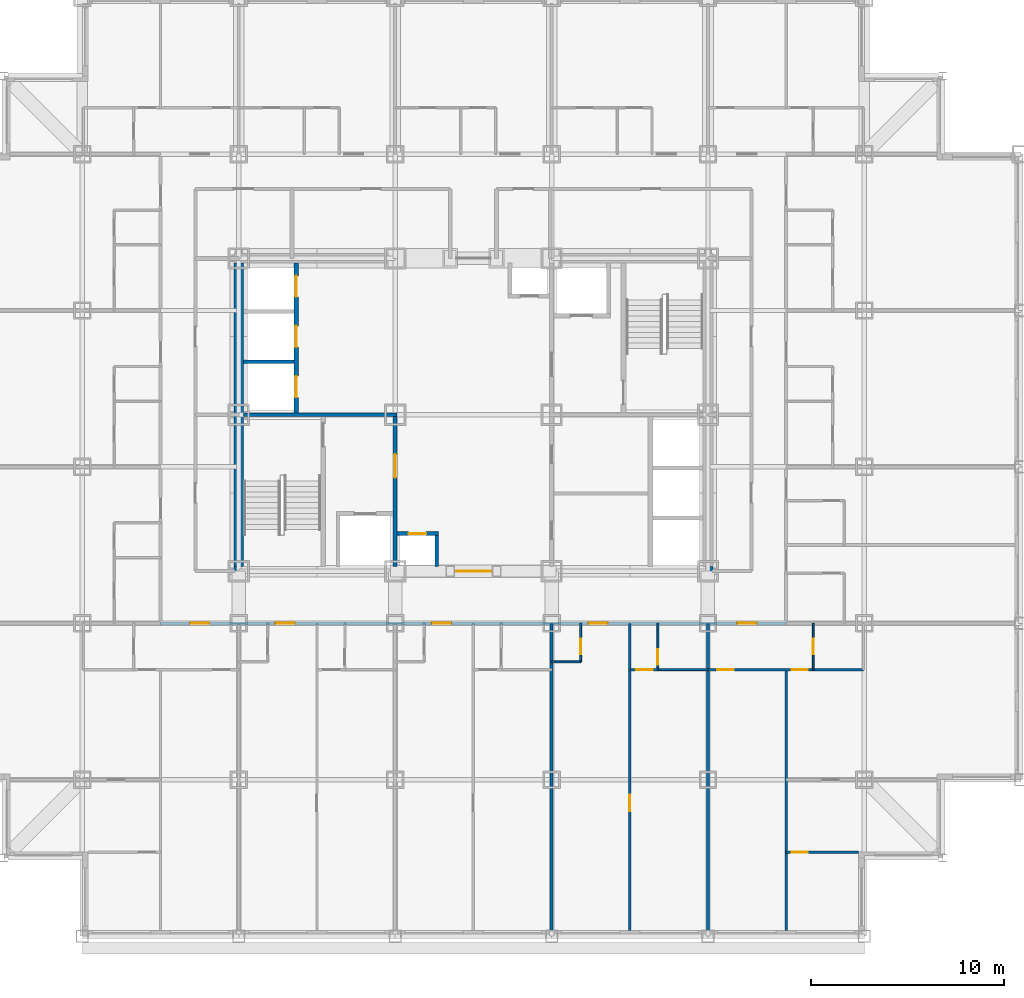
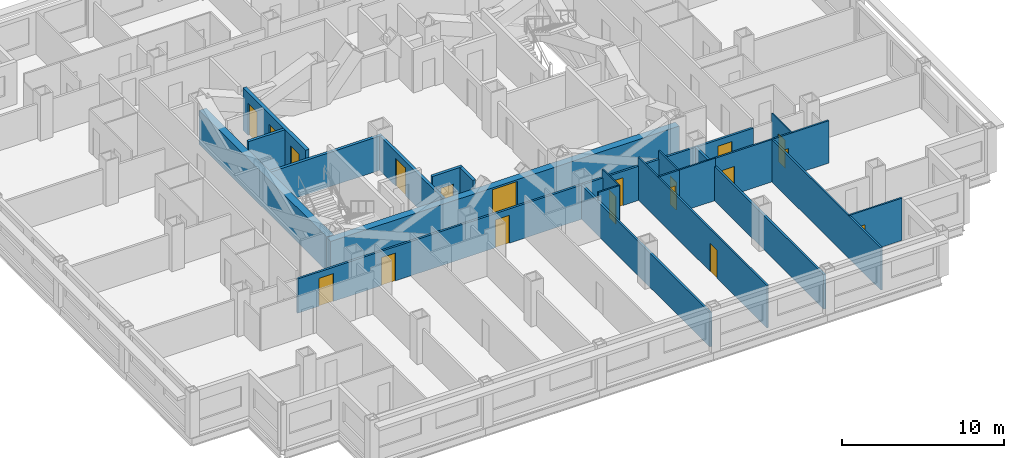
# One storey, part 6 of 12: 21 walls, 19 doors, 19 openings.
"""IFC4 building model written with IfcOpenShell, lengths in metres."""

from ifc_helpers import new_model, si_unit, direction, frame, frame_2d, origin, place, context, subcontext, project, spatial, rectangle, extrude, material, layer, layer_set, type_object, element, fill, save


model = new_model("IFC4")

# Units and contexts
model_context = context("Model", 3, precision=1e-05, world=origin(), true_north=direction((0.0, 1.0)))
body_context = subcontext(model_context, "Body", "Model", "MODEL_VIEW")
ifc_project = project(units=[si_unit("LENGTHUNIT", "METRE"), si_unit("AREAUNIT", "SQUARE_METRE"), si_unit("VOLUMEUNIT", "CUBIC_METRE"), si_unit("PLANEANGLEUNIT", "RADIAN"), si_unit("MASSUNIT", "GRAM", prefix="KILO")], contexts=[model_context])

# Site, building, storey
site_placement = place(None, origin())
site = spatial("IfcSite", under=ifc_project, at=site_placement, CompositionType="ELEMENT")
building_placement = place(site_placement, origin())
building = spatial("IfcBuilding", under=site, at=building_placement, Name="Kopane Lantern Tower", CompositionType="ELEMENT")
storey_placement = place(building_placement, frame((0.0, 0.0, 106.800048828125)))
storey = spatial("IfcBuildingStorey", under=building, at=storey_placement, Name="L26", CompositionType="ELEMENT", Elevation=106.800048828125)

# Wall, opening, door
ifc_material_1 = material(Name="Gypsum board on steel studs", Category="steel")
ifc_layer_1 = layer(ifc_material_1, 0.1201171875)
ifc_layer_set_1 = layer_set([ifc_layer_1], Name="APARTMENT INTERNAL WALL 120")
wall_type_1 = type_object("IfcWallType", Name="APARTMENT INTERNAL WALL 120", PredefinedType="PARTITIONING", material=ifc_layer_set_1)
wall_1_placement = place(storey_placement, frame((36.449951171875, 21.60009765625, 0.0), z_axis=(0.0, 0.0, 1.0), x_axis=(0.0, -1.0, 0.0)))
wall_1 = element("IfcWall", 1, at=wall_1_placement, inside=storey, type_object=wall_type_1, Name="Apartment Internal Wall 120 L26", PredefinedType="PARTITIONING", context=body_context, shape_type="SweptSolid", body=[
    extrude(rectangle(XDim=15.900146484375, YDim=0.1201171875, at=frame_2d((7.9501953125, 0.0))), origin(), (0.0, 0.0, 1.0), 3.18994140625),
])
opening_1_placement = place(wall_1_placement, frame((8.875, 0.0, 0.0)))
opening_1 = element("IfcOpeningElement", 2, at=opening_1_placement, cuts=wall_1, Name="Opening L26-020", PredefinedType="OPENING", context=body_context, shape_type="SweptSolid", body=[
    extrude(rectangle(XDim=0.85009765625, YDim=2.10009765625, at=frame_2d((0.425048828125, 1.050048828125))), frame((0.0, 0.070068359375, 0.0), z_axis=(0.0, -1.0, 0.0), x_axis=(1.0, 0.0, 0.0)), (0.0, 0.0, 1.0), 0.14013671875),
])
ifc_material_2 = material(Name="Timber door set", Category="wood")
door_type_1 = type_object("IfcDoorType", Name="DOOR D4 850x2100", OperationType="SINGLE_SWING_LEFT", PredefinedType="DOOR", material=ifc_material_2)
door_1_placement = place(opening_1_placement, origin())
door_1 = element("IfcDoor", 3, at=door_1_placement, inside=storey, type_object=door_type_1, Name="Door L26-020", OperationType="SINGLE_SWING_LEFT", OverallHeight=2.10009765625, OverallWidth=0.85009765625, PredefinedType="DOOR", context=body_context, shape_type="SweptSolid", body=[
    extrude(rectangle(XDim=0.85009765625, YDim=2.10009765625, at=frame_2d((0.425048828125, 1.050048828125))), frame((0.0, 0.02490234375, 0.0), z_axis=(0.0, -1.0, 0.0), x_axis=(1.0, 0.0, 0.0)), (0.0, 0.0, 1.0), 0.050048828125),
])
fill(opening_1, door_1)

# Wall, openings, doors
wall_2_placement = place(storey_placement, frame((40.5, 19.199951171875, 0.0), z_axis=(0.0, 0.0, 1.0), x_axis=(1.0, 0.0, 0.0)))
wall_2 = element("IfcWall", 4, at=wall_2_placement, inside=storey, type_object=wall_type_1, Name="Apartment Internal Wall 120 L26", PredefinedType="PARTITIONING", context=body_context, shape_type="SweptSolid", body=[
    extrude(rectangle(XDim=8.050048828125, YDim=0.1201171875, at=frame_2d((4.02490234375, 0.0))), origin(), (0.0, 0.0, 1.0), 3.18994140625),
])
opening_2_placement = place(wall_2_placement, frame((0.47509765625, 0.0, 0.0)))
opening_2 = element("IfcOpeningElement", 5, at=opening_2_placement, cuts=wall_2, Name="Opening L26-055", PredefinedType="OPENING", context=body_context, shape_type="SweptSolid", body=[
    extrude(rectangle(XDim=0.85009765625, YDim=2.10009765625, at=frame_2d((0.425048828125, 1.050048828125))), frame((0.0, 0.070068359375, 0.0), z_axis=(0.0, -1.0, 0.0), x_axis=(1.0, 0.0, 0.0)), (0.0, 0.0, 1.0), 0.14013671875),
])
opening_3_placement = place(wall_2_placement, frame((4.324951171875, 0.0, 0.0)))
opening_3 = element("IfcOpeningElement", 6, at=opening_3_placement, cuts=wall_2, Name="Opening L26-057", PredefinedType="OPENING", context=body_context, shape_type="SweptSolid", body=[
    extrude(rectangle(XDim=0.85009765625, YDim=2.10009765625, at=frame_2d((0.425048828125, 1.050048828125))), frame((0.0, 0.070068359375, 0.0), z_axis=(0.0, -1.0, 0.0), x_axis=(1.0, 0.0, 0.0)), (0.0, 0.0, 1.0), 0.14013671875),
])
door_2_placement = place(opening_2_placement, origin())
door_2 = element("IfcDoor", 7, at=door_2_placement, inside=storey, type_object=door_type_1, Name="Door L26-055", OperationType="SINGLE_SWING_LEFT", OverallHeight=2.10009765625, OverallWidth=0.85009765625, PredefinedType="DOOR", context=body_context, shape_type="SweptSolid", body=[
    extrude(rectangle(XDim=0.85009765625, YDim=2.10009765625, at=frame_2d((0.425048828125, 1.050048828125))), frame((0.0, 0.02490234375, 0.0), z_axis=(0.0, -1.0, 0.0), x_axis=(1.0, 0.0, 0.0)), (0.0, 0.0, 1.0), 0.050048828125),
])
fill(opening_2, door_2)
door_3_placement = place(opening_3_placement, origin())
door_3 = element("IfcDoor", 8, at=door_3_placement, inside=storey, type_object=door_type_1, Name="Door L26-057", OperationType="SINGLE_SWING_RIGHT", OverallHeight=2.10009765625, OverallWidth=0.85009765625, PredefinedType="DOOR", context=body_context, shape_type="SweptSolid", body=[
    extrude(rectangle(XDim=0.85009765625, YDim=2.10009765625, at=frame_2d((0.425048828125, 1.050048828125))), frame((0.0, 0.02490234375, 0.0), z_axis=(0.0, -1.0, 0.0), x_axis=(1.0, 0.0, 0.0)), (0.0, 0.0, 1.0), 0.050048828125),
])
fill(opening_3, door_3)

# Wall
wall_3_placement = place(storey_placement, frame((44.550048828125, 19.199951171875, 0.0), z_axis=(0.0, 0.0, 1.0), x_axis=(0.0, -1.0, 0.0)))
element("IfcWall", 9, at=wall_3_placement, inside=storey, type_object=wall_type_1, Name="Apartment Internal Wall 120 L26", PredefinedType="PARTITIONING", context=body_context, shape_type="SweptSolid", body=[
    extrude(rectangle(XDim=13.5, YDim=0.1201171875, at=frame_2d((6.75, 0.0))), origin(), (0.0, 0.0, 1.0), 3.18994140625),
])

# Wall, opening, door
wall_4_placement = place(storey_placement, frame((37.909912109375, 19.199951171875, 0.0), z_axis=(0.0, 0.0, 1.0), x_axis=(-1.0, 0.0, 0.0)))
wall_4 = element("IfcWall", 10, at=wall_4_placement, inside=storey, type_object=wall_type_1, Name="Apartment Internal Wall 120 L26", PredefinedType="PARTITIONING", context=body_context, shape_type="SweptSolid", body=[
    extrude(rectangle(XDim=1.4599609375, YDim=0.1201171875, at=frame_2d((0.72998046875, 0.0))), origin(), (0.0, 0.0, 1.0), 3.18994140625),
])
opening_4_placement = place(wall_4_placement, frame((0.27490234375, 0.0, 0.0)))
opening_4 = element("IfcOpeningElement", 11, at=opening_4_placement, cuts=wall_4, Name="Opening L26-069", PredefinedType="OPENING", context=body_context, shape_type="SweptSolid", body=[
    extrude(rectangle(XDim=0.85009765625, YDim=2.10009765625, at=frame_2d((0.425048828125, 1.050048828125))), frame((0.0, 0.070068359375, 0.0), z_axis=(0.0, -1.0, 0.0), x_axis=(1.0, 0.0, 0.0)), (0.0, 0.0, 1.0), 0.14013671875),
])
door_4_placement = place(opening_4_placement, origin())
door_4 = element("IfcDoor", 12, at=door_4_placement, inside=storey, type_object=door_type_1, Name="Door L26-069", OperationType="SINGLE_SWING_RIGHT", OverallHeight=2.10009765625, OverallWidth=0.85009765625, PredefinedType="DOOR", context=body_context, shape_type="SweptSolid", body=[
    extrude(rectangle(XDim=0.85009765625, YDim=2.10009765625, at=frame_2d((0.425048828125, 1.050048828125))), frame((0.0, 0.02490234375, 0.0), z_axis=(0.0, -1.0, 0.0), x_axis=(1.0, 0.0, 0.0)), (0.0, 0.0, 1.0), 0.050048828125),
])
fill(opening_4, door_4)

wall_5_placement = place(storey_placement, frame((44.550048828125, 9.75, 0.0), z_axis=(0.0, 0.0, 1.0), x_axis=(1.0, 0.0, 0.0)))
wall_5 = element("IfcWall", 13, at=wall_5_placement, inside=storey, type_object=wall_type_1, Name="Apartment Internal Wall 120 L26", PredefinedType="PARTITIONING", context=body_context, shape_type="SweptSolid", body=[
    extrude(rectangle(XDim=3.75, YDim=0.1201171875, at=frame_2d((1.875, 0.0))), origin(), (0.0, 0.0, 1.0), 3.18994140625),
])
opening_5_placement = place(wall_5_placement, frame((0.27490234375, 0.0, 0.0)))
opening_5 = element("IfcOpeningElement", 14, at=opening_5_placement, cuts=wall_5, Name="Opening L26-071", PredefinedType="OPENING", context=body_context, shape_type="SweptSolid", body=[
    extrude(rectangle(XDim=0.85009765625, YDim=2.10009765625, at=frame_2d((0.425048828125, 1.050048828125))), frame((0.0, 0.070068359375, 0.0), z_axis=(0.0, -1.0, 0.0), x_axis=(1.0, 0.0, 0.0)), (0.0, 0.0, 1.0), 0.14013671875),
])
door_5_placement = place(opening_5_placement, origin())
door_5 = element("IfcDoor", 15, at=door_5_placement, inside=storey, type_object=door_type_1, Name="Door L26-071", OperationType="SINGLE_SWING_RIGHT", OverallHeight=2.10009765625, OverallWidth=0.85009765625, PredefinedType="DOOR", context=body_context, shape_type="SweptSolid", body=[
    extrude(rectangle(XDim=0.85009765625, YDim=2.10009765625, at=frame_2d((0.425048828125, 1.050048828125))), frame((0.0, 0.02490234375, 0.0), z_axis=(0.0, -1.0, 0.0), x_axis=(1.0, 0.0, 0.0)), (0.0, 0.0, 1.0), 0.050048828125),
])
fill(opening_5, door_5)

# Wall
ifc_material_3 = material(Name="Moisture-resistant board on steel studs", Category="steel")
ifc_layer_2 = layer(ifc_material_3, 0.10009765625)
ifc_layer_set_2 = layer_set([ifc_layer_2], Name="BATHROOM WALL 100")
wall_type_2 = type_object("IfcWallType", Name="BATHROOM WALL 100", PredefinedType="PARTITIONING", material=ifc_layer_set_2)
wall_6_placement = place(storey_placement, frame((32.39990234375, 19.60009765625, 0.0), z_axis=(0.0, 0.0, 1.0), x_axis=(1.0, 0.0, 0.0)))
element("IfcWall", 16, at=wall_6_placement, inside=storey, type_object=wall_type_2, Name="Bathroom Wall 100 L26", PredefinedType="PARTITIONING", context=body_context, shape_type="SweptSolid", body=[
    extrude(rectangle(XDim=1.5, YDim=0.10009765625, at=frame_2d((0.75, 0.0))), origin(), (0.0, 0.0, 1.0), 3.18994140625),
])

# Wall, opening, door
wall_7_placement = place(storey_placement, frame((33.89990234375, 21.60009765625, 0.0), z_axis=(0.0, 0.0, 1.0), x_axis=(0.0, -1.0, 0.0)))
wall_7 = element("IfcWall", 17, at=wall_7_placement, inside=storey, type_object=wall_type_2, Name="Bathroom Wall 100 L26", PredefinedType="PARTITIONING", context=body_context, shape_type="SweptSolid", body=[
    extrude(rectangle(XDim=2.0, YDim=0.10009765625, at=frame_2d((1.0, 0.0))), origin(), (0.0, 0.0, 1.0), 3.18994140625),
])
opening_6_placement = place(wall_7_placement, frame((0.800048828125, 0.0, 0.0)))
opening_6 = element("IfcOpeningElement", 18, at=opening_6_placement, cuts=wall_7, Name="Opening L26-017", PredefinedType="OPENING", context=body_context, shape_type="SweptSolid", body=[
    extrude(rectangle(XDim=0.800048828125, YDim=2.10009765625, at=frame_2d((0.39990234375, 1.050048828125))), frame((0.0, 0.06005859375, 0.0), z_axis=(0.0, -1.0, 0.0), x_axis=(1.0, 0.0, 0.0)), (0.0, 0.0, 1.0), 0.1201171875),
])
ifc_material_4 = material(Name="Timber door set", Category="wood")
door_type_2 = type_object("IfcDoorType", Name="DOOR D2 800x2100", OperationType="SINGLE_SWING_LEFT", PredefinedType="DOOR", material=ifc_material_4)
door_6_placement = place(opening_6_placement, origin())
door_6 = element("IfcDoor", 19, at=door_6_placement, inside=storey, type_object=door_type_2, Name="Door L26-017", OperationType="SINGLE_SWING_LEFT", OverallHeight=2.10009765625, OverallWidth=0.800048828125, PredefinedType="DOOR", context=body_context, shape_type="SweptSolid", body=[
    extrude(rectangle(XDim=0.800048828125, YDim=2.10009765625, at=frame_2d((0.39990234375, 1.050048828125))), frame((0.0, 0.02490234375, 0.0), z_axis=(0.0, -1.0, 0.0), x_axis=(1.0, 0.0, 0.0)), (0.0, 0.0, 1.0), 0.050048828125),
])
fill(opening_6, door_6)

# Wall
wall_8_placement = place(storey_placement, frame((37.89990234375, 19.199951171875, 0.0), z_axis=(0.0, 0.0, 1.0), x_axis=(1.0, 0.0, 0.0)))
element("IfcWall", 20, at=wall_8_placement, inside=storey, type_object=wall_type_2, Name="Bathroom Wall 100 L26", PredefinedType="PARTITIONING", context=body_context, shape_type="SweptSolid", body=[
    extrude(rectangle(XDim=2.60009765625, YDim=0.10009765625, at=frame_2d((1.300048828125, 0.0))), origin(), (0.0, 0.0, 1.0), 3.18994140625),
])

# Wall, opening, door
wall_9_placement = place(storey_placement, frame((37.89990234375, 21.60009765625, 0.0), z_axis=(0.0, 0.0, 1.0), x_axis=(0.0, -1.0, 0.0)))
wall_9 = element("IfcWall", 21, at=wall_9_placement, inside=storey, type_object=wall_type_2, Name="Bathroom Wall 100 L26", PredefinedType="PARTITIONING", context=body_context, shape_type="SweptSolid", body=[
    extrude(rectangle(XDim=2.400146484375, YDim=0.10009765625, at=frame_2d((1.2001953125, 0.0))), origin(), (0.0, 0.0, 1.0), 3.18994140625),
])
opening_7_placement = place(wall_9_placement, frame((1.35009765625, 0.0, 0.0)))
opening_7 = element("IfcOpeningElement", 22, at=opening_7_placement, cuts=wall_9, Name="Opening L26-019", PredefinedType="OPENING", context=body_context, shape_type="SweptSolid", body=[
    extrude(rectangle(XDim=0.800048828125, YDim=2.10009765625, at=frame_2d((0.39990234375, 1.050048828125))), frame((0.0, 0.06005859375, 0.0), z_axis=(0.0, -1.0, 0.0), x_axis=(1.0, 0.0, 0.0)), (0.0, 0.0, 1.0), 0.1201171875),
])
door_7_placement = place(opening_7_placement, origin())
door_7 = element("IfcDoor", 23, at=door_7_placement, inside=storey, type_object=door_type_2, Name="Door L26-019", OperationType="SINGLE_SWING_LEFT", OverallHeight=2.10009765625, OverallWidth=0.800048828125, PredefinedType="DOOR", context=body_context, shape_type="SweptSolid", body=[
    extrude(rectangle(XDim=0.800048828125, YDim=2.10009765625, at=frame_2d((0.39990234375, 1.050048828125))), frame((0.0, 0.02490234375, 0.0), z_axis=(0.0, -1.0, 0.0), x_axis=(1.0, 0.0, 0.0)), (0.0, 0.0, 1.0), 0.050048828125),
])
fill(opening_7, door_7)

wall_10_placement = place(storey_placement, frame((45.949951171875, 21.60009765625, 0.0), z_axis=(0.0, 0.0, 1.0), x_axis=(0.0, -1.0, 0.0)))
wall_10 = element("IfcWall", 24, at=wall_10_placement, inside=storey, type_object=wall_type_2, Name="Bathroom Wall 100 L26", PredefinedType="PARTITIONING", context=body_context, shape_type="SweptSolid", body=[
    extrude(rectangle(XDim=2.400146484375, YDim=0.10009765625, at=frame_2d((1.2001953125, 0.0))), origin(), (0.0, 0.0, 1.0), 3.18994140625),
])
opening_8_placement = place(wall_10_placement, frame((0.800048828125, 0.0, 0.0)))
opening_8 = element("IfcOpeningElement", 25, at=opening_8_placement, cuts=wall_10, Name="Opening L26-056", PredefinedType="OPENING", context=body_context, shape_type="SweptSolid", body=[
    extrude(rectangle(XDim=0.800048828125, YDim=2.10009765625, at=frame_2d((0.39990234375, 1.050048828125))), frame((0.0, 0.06005859375, 0.0), z_axis=(0.0, -1.0, 0.0), x_axis=(1.0, 0.0, 0.0)), (0.0, 0.0, 1.0), 0.1201171875),
])
door_8_placement = place(opening_8_placement, origin())
door_8 = element("IfcDoor", 26, at=door_8_placement, inside=storey, type_object=door_type_2, Name="Door L26-056", OperationType="SINGLE_SWING_LEFT", OverallHeight=2.10009765625, OverallWidth=0.800048828125, PredefinedType="DOOR", context=body_context, shape_type="SweptSolid", body=[
    extrude(rectangle(XDim=0.800048828125, YDim=2.10009765625, at=frame_2d((0.39990234375, 1.050048828125))), frame((0.0, 0.02490234375, 0.0), z_axis=(0.0, -1.0, 0.0), x_axis=(1.0, 0.0, 0.0)), (0.0, 0.0, 1.0), 0.050048828125),
])
fill(opening_8, door_8)

ifc_material_5 = material(Name="Gypsum shaft wall EI 120", Category="gypsum")
ifc_layer_3 = layer(ifc_material_5, 0.5)
ifc_layer_set_3 = layer_set([ifc_layer_3], Name="CORE PERIMETER WALL 500 EI 120")
wall_type_3 = type_object("IfcWallType", Name="CORE PERIMETER WALL 500 EI 120", PredefinedType="SOLIDWALL", material=ifc_layer_set_3)
wall_11_placement = place(storey_placement, frame((15.949951171875, 24.300048828125, 0.0), z_axis=(0.0, 0.0, 1.0), x_axis=(1.0, 0.0, 0.0)))
wall_11 = element("IfcWall", 27, at=wall_11_placement, inside=storey, type_object=wall_type_3, Name="Core shaft wall L26 PS", PredefinedType="SOLIDWALL", context=body_context, shape_type="SweptSolid", body=[
    extrude(rectangle(XDim=24.800048828125, YDim=0.5, at=frame_2d((12.39990234375, 0.0))), origin(), (0.0, 0.0, 1.0), 2.5400390625),
])
opening_9_placement = place(wall_11_placement, frame((11.5, 0.0, 0.0)))
opening_9 = element("IfcOpeningElement", 28, at=opening_9_placement, cuts=wall_11, Name="Opening 26.CE-S", PredefinedType="OPENING", context=body_context, shape_type="SweptSolid", body=[
    extrude(rectangle(XDim=1.800048828125, YDim=2.39990234375, at=frame_2d((0.89990234375, 1.199951171875))), frame((0.0, 0.260009765625, 0.0), z_axis=(0.0, -1.0, 0.0), x_axis=(1.0, 0.0, 0.0)), (0.0, 0.0, 1.0), 0.52001953125),
])
ifc_material_6 = material(Name="Steel door set", Category="steel")
door_type_3 = type_object("IfcDoorType", Name="CORE ENTRY DOOR 1800x2400 FD60S", OperationType="DOUBLE_DOOR_SINGLE_SWING", PredefinedType="DOOR", material=ifc_material_6)
door_9_placement = place(opening_9_placement, origin())
door_9 = element("IfcDoor", 29, at=door_9_placement, inside=storey, type_object=door_type_3, Name="Core entry door L26 south", OperationType="DOUBLE_DOOR_SINGLE_SWING", OverallHeight=2.39990234375, OverallWidth=1.800048828125, PredefinedType="DOOR", context=body_context, shape_type="SweptSolid", body=[
    extrude(rectangle(XDim=1.800048828125, YDim=2.39990234375, at=frame_2d((0.89990234375, 1.199951171875))), frame((0.0, 0.02490234375, 0.0), z_axis=(0.0, -1.0, 0.0), x_axis=(1.0, 0.0, 0.0)), (0.0, 0.0, 1.0), 0.050048828125),
])
fill(opening_9, door_9)

# Wall
wall_12_placement = place(storey_placement, frame((16.199951171875, 24.550048828125, 0.0), z_axis=(0.0, 0.0, 1.0), x_axis=(0.0, 1.0, 0.0)))
element("IfcWall", 30, at=wall_12_placement, inside=storey, type_object=wall_type_3, Name="Core shaft wall L26 PW", PredefinedType="SOLIDWALL", context=body_context, shape_type="SweptSolid", body=[
    extrude(rectangle(XDim=15.699951171875, YDim=0.5, at=frame_2d((7.85009765625, 0.0))), origin(), (0.0, 0.0, 1.0), 2.57763671875),
])

# Wall, openings, doors
ifc_material_7 = material(Name="Gypsum shaft wall EI 120", Category="gypsum")
ifc_layer_4 = layer(ifc_material_7, 0.25)
ifc_layer_set_4 = layer_set([ifc_layer_4], Name="CORE SHAFT WALL 250 EI 120")
wall_type_4 = type_object("IfcWallType", Name="CORE SHAFT WALL 250 EI 120", PredefinedType="SOLIDWALL", material=ifc_layer_set_4)
wall_13_placement = place(storey_placement, frame((19.175048828125, 32.5, 0.0), z_axis=(0.0, 0.0, 1.0), x_axis=(0.0, 1.0, 0.0)))
wall_13 = element("IfcWall", 31, at=wall_13_placement, inside=storey, type_object=wall_type_4, Name="Core shaft wall L26 XLH", PredefinedType="SOLIDWALL", context=body_context, shape_type="SweptSolid", body=[
    extrude(rectangle(XDim=7.75, YDim=0.25, at=frame_2d((3.875, 0.0))), origin(), (0.0, 0.0, 1.0), 3.18994140625),
])
opening_10_placement = place(wall_13_placement, frame((0.800048828125, 0.0, 0.0)))
opening_10 = element("IfcOpeningElement", 32, at=opening_10_placement, cuts=wall_13, Name="Opening 26.LD-LH1", PredefinedType="OPENING", context=body_context, shape_type="SweptSolid", body=[
    extrude(rectangle(XDim=1.10009765625, YDim=2.39990234375, at=frame_2d((0.550048828125, 1.199951171875))), frame((0.0, 0.135009765625, 0.0), z_axis=(0.0, -1.0, 0.0), x_axis=(1.0, 0.0, 0.0)), (0.0, 0.0, 1.0), 0.27001953125),
])
opening_11_placement = place(wall_13_placement, frame((3.39990234375, 0.0, 0.0)))
opening_11 = element("IfcOpeningElement", 33, at=opening_11_placement, cuts=wall_13, Name="Opening 26.LD-LH2", PredefinedType="OPENING", context=body_context, shape_type="SweptSolid", body=[
    extrude(rectangle(XDim=1.10009765625, YDim=2.39990234375, at=frame_2d((0.550048828125, 1.199951171875))), frame((0.0, 0.135009765625, 0.0), z_axis=(0.0, -1.0, 0.0), x_axis=(1.0, 0.0, 0.0)), (0.0, 0.0, 1.0), 0.27001953125),
])
opening_12_placement = place(wall_13_placement, frame((6.0, 0.0, 0.0)))
opening_12 = element("IfcOpeningElement", 34, at=opening_12_placement, cuts=wall_13, Name="Opening 26.LD-LH3", PredefinedType="OPENING", context=body_context, shape_type="SweptSolid", body=[
    extrude(rectangle(XDim=1.10009765625, YDim=2.39990234375, at=frame_2d((0.550048828125, 1.199951171875))), frame((0.0, 0.135009765625, 0.0), z_axis=(0.0, -1.0, 0.0), x_axis=(1.0, 0.0, 0.0)), (0.0, 0.0, 1.0), 0.27001953125),
])
ifc_material_8 = material(Name="Steel door set", Category="steel")
door_type_4 = type_object("IfcDoorType", Name="LIFT LANDING DOOR 1100x2400 FD60", OperationType="DOUBLE_DOOR_SLIDING", PredefinedType="DOOR", material=ifc_material_8)
door_10_placement = place(opening_10_placement, origin())
door_10 = element("IfcDoor", 35, at=door_10_placement, inside=storey, type_object=door_type_4, Name="Landing door LH1 L26", OperationType="DOUBLE_DOOR_SLIDING", OverallHeight=2.39990234375, OverallWidth=1.10009765625, PredefinedType="DOOR", context=body_context, shape_type="SweptSolid", body=[
    extrude(rectangle(XDim=1.10009765625, YDim=2.39990234375, at=frame_2d((0.550048828125, 1.199951171875))), frame((0.0, 0.02490234375, 0.0), z_axis=(0.0, -1.0, 0.0), x_axis=(1.0, 0.0, 0.0)), (0.0, 0.0, 1.0), 0.050048828125),
])
fill(opening_10, door_10)
door_11_placement = place(opening_11_placement, origin())
door_11 = element("IfcDoor", 36, at=door_11_placement, inside=storey, type_object=door_type_4, Name="Landing door LH2 L26", OperationType="DOUBLE_DOOR_SLIDING", OverallHeight=2.39990234375, OverallWidth=1.10009765625, PredefinedType="DOOR", context=body_context, shape_type="SweptSolid", body=[
    extrude(rectangle(XDim=1.10009765625, YDim=2.39990234375, at=frame_2d((0.550048828125, 1.199951171875))), frame((0.0, 0.02490234375, 0.0), z_axis=(0.0, -1.0, 0.0), x_axis=(1.0, 0.0, 0.0)), (0.0, 0.0, 1.0), 0.050048828125),
])
fill(opening_11, door_11)
door_12_placement = place(opening_12_placement, origin())
door_12 = element("IfcDoor", 37, at=door_12_placement, inside=storey, type_object=door_type_4, Name="Landing door LH3 L26", OperationType="DOUBLE_DOOR_SLIDING", OverallHeight=2.39990234375, OverallWidth=1.10009765625, PredefinedType="DOOR", context=body_context, shape_type="SweptSolid", body=[
    extrude(rectangle(XDim=1.10009765625, YDim=2.39990234375, at=frame_2d((0.550048828125, 1.199951171875))), frame((0.0, 0.02490234375, 0.0), z_axis=(0.0, -1.0, 0.0), x_axis=(1.0, 0.0, 0.0)), (0.0, 0.0, 1.0), 0.050048828125),
])
fill(opening_12, door_12)

ifc_material_9 = material(Name="Gypsum board on steel studs", Category="steel")
ifc_layer_5 = layer(ifc_material_9, 0.14990234375)
ifc_layer_set_5 = layer_set([ifc_layer_5], Name="CORRIDOR WALL 150 EI 60")
wall_type_5 = type_object("IfcWallType", Name="CORRIDOR WALL 150 EI 60", PredefinedType="PARTITIONING", material=ifc_layer_set_5)
wall_14_placement = place(storey_placement, frame((12.14990234375, 21.60009765625, 0.0), z_axis=(0.0, 0.0, 1.0), x_axis=(1.0, 0.0, 0.0)))
wall_14 = element("IfcWall", 38, at=wall_14_placement, inside=storey, type_object=wall_type_5, Name="Corridor Wall 150 Ei 60 L26", PredefinedType="PARTITIONING", context=body_context, shape_type="SweptSolid", body=[
    extrude(rectangle(XDim=32.400146484375, YDim=0.14990234375, at=frame_2d((16.2001953125, 0.0))), origin(), (0.0, 0.0, 1.0), 2.57763671875),
])
opening_13_placement = place(wall_14_placement, frame((5.949951171875, 0.0, 0.0)))
opening_13 = element("IfcOpeningElement", 39, at=opening_13_placement, cuts=wall_14, Name="Opening L26-010", PredefinedType="OPENING", context=body_context, shape_type="SweptSolid", body=[
    extrude(rectangle(XDim=1.0, YDim=2.10009765625, at=frame_2d((0.5, 1.050048828125))), frame((0.0, 0.0849609375, 0.0), z_axis=(0.0, -1.0, 0.0), x_axis=(1.0, 0.0, 0.0)), (0.0, 0.0, 1.0), 0.169921875),
])
opening_14_placement = place(wall_14_placement, frame((14.050048828125, 0.0, 0.0)))
opening_14 = element("IfcOpeningElement", 40, at=opening_14_placement, cuts=wall_14, Name="Opening L26-014", PredefinedType="OPENING", context=body_context, shape_type="SweptSolid", body=[
    extrude(rectangle(XDim=1.0, YDim=2.10009765625, at=frame_2d((0.5, 1.050048828125))), frame((0.0, 0.0849609375, 0.0), z_axis=(0.0, -1.0, 0.0), x_axis=(1.0, 0.0, 0.0)), (0.0, 0.0, 1.0), 0.169921875),
])
opening_15_placement = place(wall_14_placement, frame((22.14990234375, 0.0, 0.0)))
opening_15 = element("IfcOpeningElement", 41, at=opening_15_placement, cuts=wall_14, Name="Opening L26-018", PredefinedType="OPENING", context=body_context, shape_type="SweptSolid", body=[
    extrude(rectangle(XDim=1.0, YDim=2.10009765625, at=frame_2d((0.5, 1.050048828125))), frame((0.0, 0.0849609375, 0.0), z_axis=(0.0, -1.0, 0.0), x_axis=(1.0, 0.0, 0.0)), (0.0, 0.0, 1.0), 0.169921875),
])
opening_16_placement = place(wall_14_placement, frame((1.52490234375, 0.0, 0.0)))
opening_16 = element("IfcOpeningElement", 42, at=opening_16_placement, cuts=wall_14, Name="Opening L26-049", PredefinedType="OPENING", context=body_context, shape_type="SweptSolid", body=[
    extrude(rectangle(XDim=1.0, YDim=2.10009765625, at=frame_2d((0.5, 1.050048828125))), frame((0.0, 0.0849609375, 0.0), z_axis=(0.0, -1.0, 0.0), x_axis=(1.0, 0.0, 0.0)), (0.0, 0.0, 1.0), 0.169921875),
])
opening_17_placement = place(wall_14_placement, frame((29.875, 0.0, 0.0)))
opening_17 = element("IfcOpeningElement", 43, at=opening_17_placement, cuts=wall_14, Name="Opening L26-054", PredefinedType="OPENING", context=body_context, shape_type="SweptSolid", body=[
    extrude(rectangle(XDim=1.0, YDim=2.10009765625, at=frame_2d((0.5, 1.050048828125))), frame((0.0, 0.0849609375, 0.0), z_axis=(0.0, -1.0, 0.0), x_axis=(1.0, 0.0, 0.0)), (0.0, 0.0, 1.0), 0.169921875),
])
ifc_material_10 = material(Name="Steel door set", Category="steel")
door_type_5 = type_object("IfcDoorType", Name="DOOR D1 1000x2100 FD30S", OperationType="SINGLE_SWING_LEFT", PredefinedType="DOOR", material=ifc_material_10)
door_13_placement = place(opening_13_placement, origin())
door_13 = element("IfcDoor", 44, at=door_13_placement, inside=storey, type_object=door_type_5, Name="Door L26-010", OperationType="SINGLE_SWING_RIGHT", OverallHeight=2.10009765625, OverallWidth=1.0, PredefinedType="DOOR", context=body_context, shape_type="SweptSolid", body=[
    extrude(rectangle(XDim=1.0, YDim=2.10009765625, at=frame_2d((0.5, 1.050048828125))), frame((0.0, 0.02490234375, 0.0), z_axis=(0.0, -1.0, 0.0), x_axis=(1.0, 0.0, 0.0)), (0.0, 0.0, 1.0), 0.050048828125),
])
fill(opening_13, door_13)
door_14_placement = place(opening_14_placement, origin())
door_14 = element("IfcDoor", 45, at=door_14_placement, inside=storey, type_object=door_type_5, Name="Door L26-014", OperationType="SINGLE_SWING_RIGHT", OverallHeight=2.10009765625, OverallWidth=1.0, PredefinedType="DOOR", context=body_context, shape_type="SweptSolid", body=[
    extrude(rectangle(XDim=1.0, YDim=2.10009765625, at=frame_2d((0.5, 1.050048828125))), frame((0.0, 0.02490234375, 0.0), z_axis=(0.0, -1.0, 0.0), x_axis=(1.0, 0.0, 0.0)), (0.0, 0.0, 1.0), 0.050048828125),
])
fill(opening_14, door_14)
door_15_placement = place(opening_15_placement, origin())
door_15 = element("IfcDoor", 46, at=door_15_placement, inside=storey, type_object=door_type_5, Name="Door L26-018", OperationType="SINGLE_SWING_RIGHT", OverallHeight=2.10009765625, OverallWidth=1.0, PredefinedType="DOOR", context=body_context, shape_type="SweptSolid", body=[
    extrude(rectangle(XDim=1.0, YDim=2.10009765625, at=frame_2d((0.5, 1.050048828125))), frame((0.0, 0.02490234375, 0.0), z_axis=(0.0, -1.0, 0.0), x_axis=(1.0, 0.0, 0.0)), (0.0, 0.0, 1.0), 0.050048828125),
])
fill(opening_15, door_15)
door_16_placement = place(opening_16_placement, origin())
door_16 = element("IfcDoor", 47, at=door_16_placement, inside=storey, type_object=door_type_5, Name="Door L26-049", OperationType="SINGLE_SWING_LEFT", OverallHeight=2.10009765625, OverallWidth=1.0, PredefinedType="DOOR", context=body_context, shape_type="SweptSolid", body=[
    extrude(rectangle(XDim=1.0, YDim=2.10009765625, at=frame_2d((0.5, 1.050048828125))), frame((0.0, 0.02490234375, 0.0), z_axis=(0.0, -1.0, 0.0), x_axis=(1.0, 0.0, 0.0)), (0.0, 0.0, 1.0), 0.050048828125),
])
fill(opening_16, door_16)
door_17_placement = place(opening_17_placement, origin())
door_17 = element("IfcDoor", 48, at=door_17_placement, inside=storey, type_object=door_type_5, Name="Door L26-054", OperationType="SINGLE_SWING_RIGHT", OverallHeight=2.10009765625, OverallWidth=1.0, PredefinedType="DOOR", context=body_context, shape_type="SweptSolid", body=[
    extrude(rectangle(XDim=1.0, YDim=2.10009765625, at=frame_2d((0.5, 1.050048828125))), frame((0.0, 0.02490234375, 0.0), z_axis=(0.0, -1.0, 0.0), x_axis=(1.0, 0.0, 0.0)), (0.0, 0.0, 1.0), 0.050048828125),
])
fill(opening_17, door_17)

# Walls
ifc_material_11 = material(Name="Gypsum board on steel studs", Category="steel")
ifc_layer_6 = layer(ifc_material_11, 0.14990234375)
ifc_layer_set_6 = layer_set([ifc_layer_6], Name="DEMISING WALL 150 EI 60")
wall_type_6 = type_object("IfcWallType", Name="DEMISING WALL 150 EI 60", PredefinedType="PARTITIONING", material=ifc_layer_set_6)
for number, where, z_axis, x_axis, name in (
    (49, (32.39990234375, 21.60009765625, 0.0), (0.0, 0.0, 1.0), (0.0, -1.0, 0.0), "Demising Wall 150 Ei 60 L26"),
    (50, (40.5, 21.60009765625, 0.0), (0.0, 0.0, 1.0), (0.0, -1.0, 0.0), "Demising Wall 150 Ei 60 L26"),
):
    element("IfcWall", number, at=place(storey_placement, frame(where, z_axis=z_axis, x_axis=x_axis)), inside=storey, type_object=wall_type_6, Name=name, PredefinedType="PARTITIONING", context=body_context, shape_type="SweptSolid", body=[
        extrude(rectangle(XDim=15.900146484375, YDim=0.14990234375, at=frame_2d((7.9501953125, 0.0))), origin(), (0.0, 0.0, 1.0), 2.57763671875),
    ])
ifc_material_12 = material(Name="Gypsum shaft wall EI 120", Category="gypsum")
ifc_layer_7 = layer(ifc_material_12, 0.199951171875)
ifc_layer_set_7 = layer_set([ifc_layer_7], Name="SHAFT WALL 200 EI 120")
wall_type_7 = type_object("IfcWallType", Name="SHAFT WALL 200 EI 120", PredefinedType="SOLIDWALL", material=ifc_layer_set_7)
wall_15_placement = place(storey_placement, frame((16.449951171875, 32.39990234375, 0.0), z_axis=(0.0, 0.0, 1.0), x_axis=(1.0, 0.0, 0.0)))
element("IfcWall", 51, at=wall_15_placement, inside=storey, type_object=wall_type_7, Name="Core shaft wall L26 Y324W", PredefinedType="SOLIDWALL", context=body_context, shape_type="SweptSolid", body=[
    extrude(rectangle(XDim=7.949951171875, YDim=0.199951171875, at=frame_2d((3.97509765625, 0.0))), origin(), (0.0, 0.0, 1.0), 2.57763671875),
])

# Wall, opening, door
wall_16_placement = place(storey_placement, frame((24.300048828125, 24.550048828125, 0.0), z_axis=(0.0, 0.0, 1.0), x_axis=(0.0, 1.0, 0.0)))
wall_16 = element("IfcWall", 52, at=wall_16_placement, inside=storey, type_object=wall_type_7, Name="Core shaft wall L26 X243", PredefinedType="SOLIDWALL", context=body_context, shape_type="SweptSolid", body=[
    extrude(rectangle(XDim=7.75, YDim=0.199951171875, at=frame_2d((3.875, 0.0))), origin(), (0.0, 0.0, 1.0), 2.57763671875),
])
opening_18_placement = place(wall_16_placement, frame((4.60009765625, 0.0, 0.0)))
opening_18 = element("IfcOpeningElement", 53, at=opening_18_placement, cuts=wall_16, Name="Opening 26.FL1", PredefinedType="OPENING", context=body_context, shape_type="SweptSolid", body=[
    extrude(rectangle(XDim=1.199951171875, YDim=2.10009765625, at=frame_2d((0.60009765625, 1.050048828125))), frame((0.0, 0.10986328125, 0.0), z_axis=(0.0, -1.0, 0.0), x_axis=(1.0, 0.0, 0.0)), (0.0, 0.0, 1.0), 0.219970703125),
])
ifc_material_13 = material(Name="Steel door set", Category="steel")
door_type_6 = type_object("IfcDoorType", Name="FIREFIGHTING LOBBY DOOR 1200x2100 FD60S", OperationType="SINGLE_SWING_RIGHT", PredefinedType="DOOR", material=ifc_material_13)
door_18_placement = place(opening_18_placement, origin())
door_18 = element("IfcDoor", 54, at=door_18_placement, inside=storey, type_object=door_type_6, Name="Firefighting lobby door FL1 L26", OperationType="SINGLE_SWING_LEFT", OverallHeight=2.10009765625, OverallWidth=1.199951171875, PredefinedType="DOOR", context=body_context, shape_type="SweptSolid", body=[
    extrude(rectangle(XDim=1.199951171875, YDim=2.10009765625, at=frame_2d((0.60009765625, 1.050048828125))), frame((0.0, 0.02490234375, 0.0), z_axis=(0.0, -1.0, 0.0), x_axis=(1.0, 0.0, 0.0)), (0.0, 0.0, 1.0), 0.050048828125),
])
fill(opening_18, door_18)

# Walls
wall_17_placement = place(storey_placement, frame((16.449951171875, 35.14990234375, 0.0), z_axis=(0.0, 0.0, 1.0), x_axis=(1.0, 0.0, 0.0)))
element("IfcWall", 55, at=wall_17_placement, inside=storey, type_object=wall_type_7, Name="Core shaft wall L26 YLH12", PredefinedType="SOLIDWALL", context=body_context, shape_type="SweptSolid", body=[
    extrude(rectangle(XDim=2.60009765625, YDim=0.199951171875, at=frame_2d((1.300048828125, 0.0))), origin(), (0.0, 0.0, 1.0), 3.18994140625),
])
wall_18_placement = place(storey_placement, frame((26.449951171875, 24.550048828125, 0.0), z_axis=(0.0, 0.0, 1.0), x_axis=(0.0, 1.0, 0.0)))
element("IfcWall", 56, at=wall_18_placement, inside=storey, type_object=wall_type_7, Name="Core shaft wall L26 XRS1", PredefinedType="SOLIDWALL", context=body_context, shape_type="SweptSolid", body=[
    extrude(rectangle(XDim=1.599853515625, YDim=0.199951171875, at=frame_2d((0.7998046875, 0.0))), origin(), (0.0, 0.0, 1.0), 3.18994140625),
])

# Wall, opening, door
wall_19_placement = place(storey_placement, frame((24.39990234375, 26.25, 0.0), z_axis=(0.0, 0.0, 1.0), x_axis=(1.0, 0.0, 0.0)))
wall_19 = element("IfcWall", 57, at=wall_19_placement, inside=storey, type_object=wall_type_7, Name="Core shaft wall L26 YRS1", PredefinedType="SOLIDWALL", context=body_context, shape_type="SweptSolid", body=[
    extrude(rectangle(XDim=2.150146484375, YDim=0.199951171875, at=frame_2d((1.0751953125, 0.0))), origin(), (0.0, 0.0, 1.0), 3.18994140625),
])
opening_19_placement = place(wall_19_placement, frame((0.60009765625, 0.0, 0.0)))
opening_19 = element("IfcOpeningElement", 58, at=opening_19_placement, cuts=wall_19, Name="Opening 26.RS1", PredefinedType="OPENING", context=body_context, shape_type="SweptSolid", body=[
    extrude(rectangle(XDim=0.89990234375, YDim=2.10009765625, at=frame_2d((0.449951171875, 1.050048828125))), frame((0.0, 0.10986328125, 0.0), z_axis=(0.0, -1.0, 0.0), x_axis=(1.0, 0.0, 0.0)), (0.0, 0.0, 1.0), 0.219970703125),
])
ifc_material_14 = material(Name="Steel door set", Category="steel")
door_type_7 = type_object("IfcDoorType", Name="RISER ACCESS DOOR 900x2100 FD60", OperationType="SINGLE_SWING_LEFT", PredefinedType="DOOR", material=ifc_material_14)
door_19_placement = place(opening_19_placement, origin())
door_19 = element("IfcDoor", 59, at=door_19_placement, inside=storey, type_object=door_type_7, Name="Riser access door RS1 L26", OperationType="SINGLE_SWING_LEFT", OverallHeight=2.10009765625, OverallWidth=0.89990234375, PredefinedType="DOOR", context=body_context, shape_type="SweptSolid", body=[
    extrude(rectangle(XDim=0.89990234375, YDim=2.10009765625, at=frame_2d((0.449951171875, 1.050048828125))), frame((0.0, 0.02490234375, 0.0), z_axis=(0.0, -1.0, 0.0), x_axis=(1.0, 0.0, 0.0)), (0.0, 0.0, 1.0), 0.050048828125),
])
fill(opening_19, door_19)

save(model, "model.ifc")
